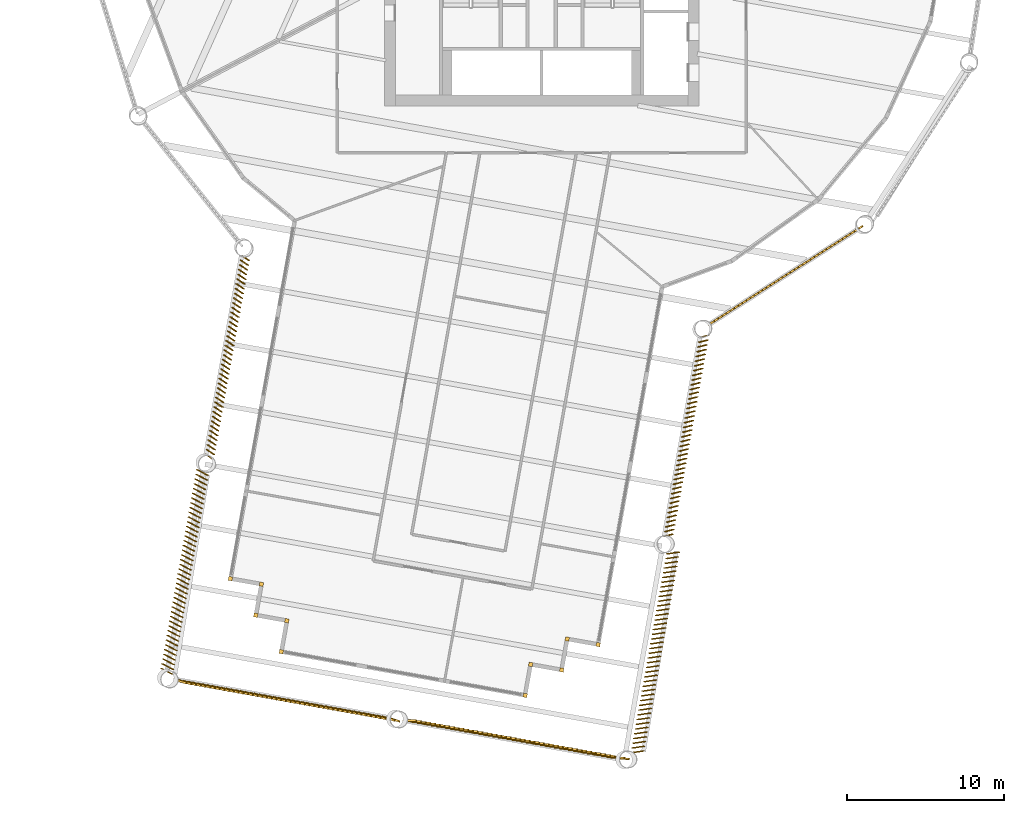
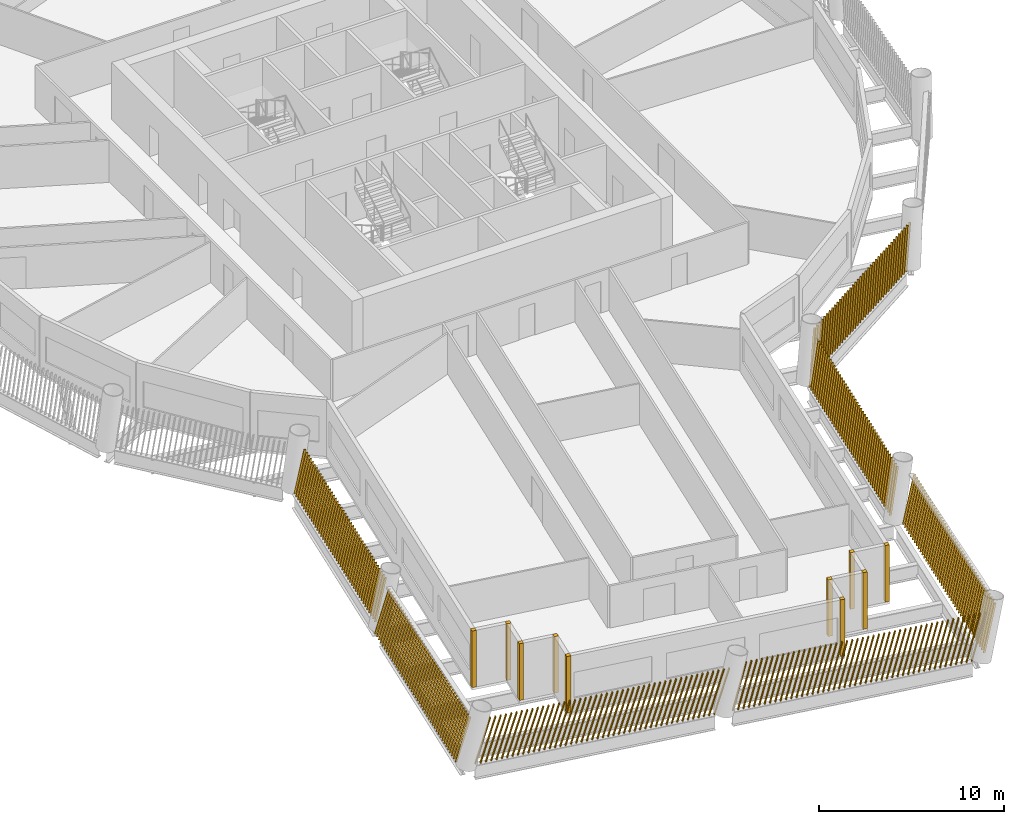
# One storey, part 10 of 14: 17 shading devices.
"""IFC4 building model written with IfcOpenShell, lengths in metres."""

from ifc_helpers import new_model, si_unit, direction, frame, frame_2d, origin, origin_2d, place, context, subcontext, project, spatial, rectangle, composite_profile, extrude, material, type_object, element, save


model = new_model("IFC4")

# Units and contexts
model_context = context("Model", 3, precision=1e-05, world=origin(), true_north=direction((0.0, 1.0)))
body_context = subcontext(model_context, "Body", "Model", "MODEL_VIEW")
ifc_project = project(units=[si_unit("LENGTHUNIT", "METRE"), si_unit("AREAUNIT", "SQUARE_METRE"), si_unit("VOLUMEUNIT", "CUBIC_METRE"), si_unit("PLANEANGLEUNIT", "RADIAN"), si_unit("MASSUNIT", "GRAM", prefix="KILO")], contexts=[model_context])

# Site, building, storey
site_placement = place(None, origin())
site = spatial("IfcSite", under=ifc_project, at=site_placement, CompositionType="ELEMENT")
building_placement = place(site_placement, origin())
building = spatial("IfcBuilding", under=site, at=building_placement, Name="Tarsis Ring Headquarters", CompositionType="ELEMENT")
storey_placement = place(building_placement, frame((0.0, 0.0, 182.699951171875)))
storey = spatial("IfcBuildingStorey", under=building, at=storey_placement, Name="L42", CompositionType="ELEMENT", Elevation=182.699951171875)

# Shading devices
ifc_material = material(Name="Terracotta baguette", Category="masonry")
shading_device_type_1 = type_object("IfcShadingDeviceType", Name="Terracotta baguette screen", PredefinedType="USERDEFINED", material=ifc_material)
shading_device_1_placement = place(storey_placement, frame((-19.065185546875, -22.485107421875, 0.0), z_axis=(0.0, 0.0, 1.0), x_axis=(-0.176411595519, -0.984313502876, 0.0)))
element("IfcShadingDevice", 1, at=shading_device_1_placement, inside=storey, type_object=shading_device_type_1, Name="Baguette screen L42-01", ObjectType="Terracotta baguette screen", PredefinedType="USERDEFINED", context=body_context, shape_type="SweptSolid", body=[
    extrude(composite_profile([rectangle(XDim=0.06005859375, YDim=0.1201171875, at=frame_2d((0.030029296875, 0.0))), rectangle(XDim=0.06005859375, YDim=0.1201171875, at=frame_2d((0.335693359375, 0.0))), rectangle(XDim=0.06005859375, YDim=0.1201171875, at=frame_2d((0.6416015625, 0.0))), rectangle(XDim=0.06005859375, YDim=0.1201171875, at=frame_2d((0.947265625, 0.0))), rectangle(XDim=0.06005859375, YDim=0.1201171875, at=frame_2d((1.253173828125, 0.0))), rectangle(XDim=0.06005859375, YDim=0.1201171875, at=frame_2d((1.558837890625, 0.0))), rectangle(XDim=0.06005859375, YDim=0.1201171875, at=frame_2d((1.864501953125, 0.0))), rectangle(XDim=0.06005859375, YDim=0.1201171875, at=frame_2d((2.17041015625, 0.0))), rectangle(XDim=0.06005859375, YDim=0.1201171875, at=frame_2d((2.47607421875, 0.0))), rectangle(XDim=0.06005859375, YDim=0.1201171875, at=frame_2d((2.781982421875, 0.0))), rectangle(XDim=0.06005859375, YDim=0.1201171875, at=frame_2d((3.087646484375, 0.0))), rectangle(XDim=0.06005859375, YDim=0.1201171875, at=frame_2d((3.393310546875, 0.0))), rectangle(XDim=0.06005859375, YDim=0.1201171875, at=frame_2d((3.69921875, 0.0))), rectangle(XDim=0.06005859375, YDim=0.1201171875, at=frame_2d((4.0048828125, 0.0))), rectangle(XDim=0.06005859375, YDim=0.1201171875, at=frame_2d((4.310791015625, 0.0))), rectangle(XDim=0.06005859375, YDim=0.1201171875, at=frame_2d((4.616455078125, 0.0))), rectangle(XDim=0.06005859375, YDim=0.1201171875, at=frame_2d((4.922119140625, 0.0))), rectangle(XDim=0.06005859375, YDim=0.1201171875, at=frame_2d((5.22802734375, 0.0))), rectangle(XDim=0.06005859375, YDim=0.1201171875, at=frame_2d((5.53369140625, 0.0))), rectangle(XDim=0.06005859375, YDim=0.1201171875, at=frame_2d((5.839599609375, 0.0))), rectangle(XDim=0.06005859375, YDim=0.1201171875, at=frame_2d((6.145263671875, 0.0))), rectangle(XDim=0.06005859375, YDim=0.1201171875, at=frame_2d((6.451171875, 0.0))), rectangle(XDim=0.06005859375, YDim=0.1201171875, at=frame_2d((6.7568359375, 0.0))), rectangle(XDim=0.06005859375, YDim=0.1201171875, at=frame_2d((7.0625, 0.0))), rectangle(XDim=0.06005859375, YDim=0.1201171875, at=frame_2d((7.368408203125, 0.0))), rectangle(XDim=0.06005859375, YDim=0.1201171875, at=frame_2d((7.674072265625, 0.0))), rectangle(XDim=0.06005859375, YDim=0.1201171875, at=frame_2d((7.97998046875, 0.0))), rectangle(XDim=0.06005859375, YDim=0.1201171875, at=frame_2d((8.28564453125, 0.0))), rectangle(XDim=0.06005859375, YDim=0.1201171875, at=frame_2d((8.59130859375, 0.0))), rectangle(XDim=0.06005859375, YDim=0.1201171875, at=frame_2d((8.897216796875, 0.0))), rectangle(XDim=0.06005859375, YDim=0.1201171875, at=frame_2d((9.202880859375, 0.0))), rectangle(XDim=0.06005859375, YDim=0.1201171875, at=frame_2d((9.5087890625, 0.0))), rectangle(XDim=0.06005859375, YDim=0.1201171875, at=frame_2d((9.814453125, 0.0))), rectangle(XDim=0.06005859375, YDim=0.1201171875, at=frame_2d((10.1201171875, 0.0))), rectangle(XDim=0.06005859375, YDim=0.1201171875, at=frame_2d((10.426025390625, 0.0))), rectangle(XDim=0.06005859375, YDim=0.1201171875, at=frame_2d((10.731689453125, 0.0))), rectangle(XDim=0.06005859375, YDim=0.1201171875, at=frame_2d((11.03759765625, 0.0))), rectangle(XDim=0.06005859375, YDim=0.1201171875, at=frame_2d((11.34326171875, 0.0))), rectangle(XDim=0.06005859375, YDim=0.1201171875, at=frame_2d((11.64892578125, 0.0))), rectangle(XDim=0.06005859375, YDim=0.1201171875, at=frame_2d((11.954833984375, 0.0))), rectangle(XDim=0.06005859375, YDim=0.1201171875, at=frame_2d((12.260498046875, 0.0))), rectangle(XDim=0.06005859375, YDim=0.1201171875, at=frame_2d((12.56640625, 0.0))), rectangle(XDim=0.06005859375, YDim=0.1201171875, at=frame_2d((12.8720703125, 0.0)))]), origin(), (0.076138787399, 0.167799380911, 0.98287651962), 3.00146484375),
])
shading_device_2_placement = place(storey_placement, frame((-21.88671875, -36.10302734375, 0.0), z_axis=(0.0, 0.0, 1.0), x_axis=(-0.176392673327, -0.984313502876, 0.0)))
element("IfcShadingDevice", 2, at=shading_device_2_placement, inside=storey, type_object=shading_device_type_1, Name="Baguette screen L42-02", ObjectType="Terracotta baguette screen", PredefinedType="USERDEFINED", context=body_context, shape_type="SweptSolid", body=[
    extrude(composite_profile([rectangle(XDim=0.06005859375, YDim=0.1201171875, at=frame_2d((0.030029296875, 0.0))), rectangle(XDim=0.06005859375, YDim=0.1201171875, at=frame_2d((0.335693359375, 0.0))), rectangle(XDim=0.06005859375, YDim=0.1201171875, at=frame_2d((0.6416015625, 0.0))), rectangle(XDim=0.06005859375, YDim=0.1201171875, at=frame_2d((0.947265625, 0.0))), rectangle(XDim=0.06005859375, YDim=0.1201171875, at=frame_2d((1.253173828125, 0.0))), rectangle(XDim=0.06005859375, YDim=0.1201171875, at=frame_2d((1.558837890625, 0.0))), rectangle(XDim=0.06005859375, YDim=0.1201171875, at=frame_2d((1.864501953125, 0.0))), rectangle(XDim=0.06005859375, YDim=0.1201171875, at=frame_2d((2.17041015625, 0.0))), rectangle(XDim=0.06005859375, YDim=0.1201171875, at=frame_2d((2.47607421875, 0.0))), rectangle(XDim=0.06005859375, YDim=0.1201171875, at=frame_2d((2.781982421875, 0.0))), rectangle(XDim=0.06005859375, YDim=0.1201171875, at=frame_2d((3.087646484375, 0.0))), rectangle(XDim=0.06005859375, YDim=0.1201171875, at=frame_2d((3.393310546875, 0.0))), rectangle(XDim=0.06005859375, YDim=0.1201171875, at=frame_2d((3.69921875, 0.0))), rectangle(XDim=0.06005859375, YDim=0.1201171875, at=frame_2d((4.0048828125, 0.0))), rectangle(XDim=0.06005859375, YDim=0.1201171875, at=frame_2d((4.310791015625, 0.0))), rectangle(XDim=0.06005859375, YDim=0.1201171875, at=frame_2d((4.616455078125, 0.0))), rectangle(XDim=0.06005859375, YDim=0.1201171875, at=frame_2d((4.922119140625, 0.0))), rectangle(XDim=0.06005859375, YDim=0.1201171875, at=frame_2d((5.22802734375, 0.0))), rectangle(XDim=0.06005859375, YDim=0.1201171875, at=frame_2d((5.53369140625, 0.0))), rectangle(XDim=0.06005859375, YDim=0.1201171875, at=frame_2d((5.839599609375, 0.0))), rectangle(XDim=0.06005859375, YDim=0.1201171875, at=frame_2d((6.145263671875, 0.0))), rectangle(XDim=0.06005859375, YDim=0.1201171875, at=frame_2d((6.451171875, 0.0))), rectangle(XDim=0.06005859375, YDim=0.1201171875, at=frame_2d((6.7568359375, 0.0))), rectangle(XDim=0.06005859375, YDim=0.1201171875, at=frame_2d((7.0625, 0.0))), rectangle(XDim=0.06005859375, YDim=0.1201171875, at=frame_2d((7.368408203125, 0.0))), rectangle(XDim=0.06005859375, YDim=0.1201171875, at=frame_2d((7.674072265625, 0.0))), rectangle(XDim=0.06005859375, YDim=0.1201171875, at=frame_2d((7.97998046875, 0.0))), rectangle(XDim=0.06005859375, YDim=0.1201171875, at=frame_2d((8.28564453125, 0.0))), rectangle(XDim=0.06005859375, YDim=0.1201171875, at=frame_2d((8.59130859375, 0.0))), rectangle(XDim=0.06005859375, YDim=0.1201171875, at=frame_2d((8.897216796875, 0.0))), rectangle(XDim=0.06005859375, YDim=0.1201171875, at=frame_2d((9.202880859375, 0.0))), rectangle(XDim=0.06005859375, YDim=0.1201171875, at=frame_2d((9.5087890625, 0.0))), rectangle(XDim=0.06005859375, YDim=0.1201171875, at=frame_2d((9.814453125, 0.0))), rectangle(XDim=0.06005859375, YDim=0.1201171875, at=frame_2d((10.1201171875, 0.0))), rectangle(XDim=0.06005859375, YDim=0.1201171875, at=frame_2d((10.426025390625, 0.0))), rectangle(XDim=0.06005859375, YDim=0.1201171875, at=frame_2d((10.731689453125, 0.0))), rectangle(XDim=0.06005859375, YDim=0.1201171875, at=frame_2d((11.03759765625, 0.0))), rectangle(XDim=0.06005859375, YDim=0.1201171875, at=frame_2d((11.34326171875, 0.0))), rectangle(XDim=0.06005859375, YDim=0.1201171875, at=frame_2d((11.64892578125, 0.0))), rectangle(XDim=0.06005859375, YDim=0.1201171875, at=frame_2d((11.954833984375, 0.0))), rectangle(XDim=0.06005859375, YDim=0.1201171875, at=frame_2d((12.260498046875, 0.0))), rectangle(XDim=0.06005859375, YDim=0.1201171875, at=frame_2d((12.56640625, 0.0))), rectangle(XDim=0.06005859375, YDim=0.1201171875, at=frame_2d((12.8720703125, 0.0)))]), origin(), (0.076398349345, 0.237047459831, 0.968489439284), 3.0458984375),
])
shading_device_3_placement = place(storey_placement, frame((-23.3896484375, -49.449462890625, 0.0), z_axis=(0.0, 0.0, 1.0), x_axis=(0.984325519682, -0.176399823087, 0.0)))
element("IfcShadingDevice", 3, at=shading_device_3_placement, inside=storey, type_object=shading_device_type_1, Name="Baguette screen L42-03", ObjectType="Terracotta baguette screen", PredefinedType="USERDEFINED", context=body_context, shape_type="SweptSolid", body=[
    extrude(composite_profile([rectangle(XDim=0.06005859375, YDim=0.1201171875, at=frame_2d((0.030029296875, 0.0))), rectangle(XDim=0.06005859375, YDim=0.1201171875, at=frame_2d((0.33544921875, 0.0))), rectangle(XDim=0.06005859375, YDim=0.1201171875, at=frame_2d((0.640625, 0.0))), rectangle(XDim=0.06005859375, YDim=0.1201171875, at=frame_2d((0.946044921875, 0.0))), rectangle(XDim=0.06005859375, YDim=0.1201171875, at=frame_2d((1.25146484375, 0.0))), rectangle(XDim=0.06005859375, YDim=0.1201171875, at=frame_2d((1.556640625, 0.0))), rectangle(XDim=0.06005859375, YDim=0.1201171875, at=frame_2d((1.862060546875, 0.0))), rectangle(XDim=0.06005859375, YDim=0.1201171875, at=frame_2d((2.16748046875, 0.0))), rectangle(XDim=0.06005859375, YDim=0.1201171875, at=frame_2d((2.47265625, 0.0))), rectangle(XDim=0.06005859375, YDim=0.1201171875, at=frame_2d((2.778076171875, 0.0))), rectangle(XDim=0.06005859375, YDim=0.1201171875, at=frame_2d((3.08349609375, 0.0))), rectangle(XDim=0.06005859375, YDim=0.1201171875, at=frame_2d((3.388671875, 0.0))), rectangle(XDim=0.06005859375, YDim=0.1201171875, at=frame_2d((3.694091796875, 0.0))), rectangle(XDim=0.06005859375, YDim=0.1201171875, at=frame_2d((3.99951171875, 0.0))), rectangle(XDim=0.06005859375, YDim=0.1201171875, at=frame_2d((4.3046875, 0.0))), rectangle(XDim=0.06005859375, YDim=0.1201171875, at=frame_2d((4.610107421875, 0.0))), rectangle(XDim=0.06005859375, YDim=0.1201171875, at=frame_2d((4.91552734375, 0.0))), rectangle(XDim=0.06005859375, YDim=0.1201171875, at=frame_2d((5.220703125, 0.0))), rectangle(XDim=0.06005859375, YDim=0.1201171875, at=frame_2d((5.526123046875, 0.0))), rectangle(XDim=0.06005859375, YDim=0.1201171875, at=frame_2d((5.83154296875, 0.0))), rectangle(XDim=0.06005859375, YDim=0.1201171875, at=frame_2d((6.13671875, 0.0))), rectangle(XDim=0.06005859375, YDim=0.1201171875, at=frame_2d((6.442138671875, 0.0))), rectangle(XDim=0.06005859375, YDim=0.1201171875, at=frame_2d((6.74755859375, 0.0))), rectangle(XDim=0.06005859375, YDim=0.1201171875, at=frame_2d((7.052734375, 0.0))), rectangle(XDim=0.06005859375, YDim=0.1201171875, at=frame_2d((7.358154296875, 0.0))), rectangle(XDim=0.06005859375, YDim=0.1201171875, at=frame_2d((7.66357421875, 0.0))), rectangle(XDim=0.06005859375, YDim=0.1201171875, at=frame_2d((7.96875, 0.0))), rectangle(XDim=0.06005859375, YDim=0.1201171875, at=frame_2d((8.274169921875, 0.0))), rectangle(XDim=0.06005859375, YDim=0.1201171875, at=frame_2d((8.57958984375, 0.0))), rectangle(XDim=0.06005859375, YDim=0.1201171875, at=frame_2d((8.884765625, 0.0))), rectangle(XDim=0.06005859375, YDim=0.1201171875, at=frame_2d((9.190185546875, 0.0))), rectangle(XDim=0.06005859375, YDim=0.1201171875, at=frame_2d((9.49560546875, 0.0))), rectangle(XDim=0.06005859375, YDim=0.1201171875, at=frame_2d((9.80078125, 0.0))), rectangle(XDim=0.06005859375, YDim=0.1201171875, at=frame_2d((10.106201171875, 0.0))), rectangle(XDim=0.06005859375, YDim=0.1201171875, at=frame_2d((10.41162109375, 0.0))), rectangle(XDim=0.06005859375, YDim=0.1201171875, at=frame_2d((10.716796875, 0.0))), rectangle(XDim=0.06005859375, YDim=0.1201171875, at=frame_2d((11.022216796875, 0.0))), rectangle(XDim=0.06005859375, YDim=0.1201171875, at=frame_2d((11.32763671875, 0.0))), rectangle(XDim=0.06005859375, YDim=0.1201171875, at=frame_2d((11.6328125, 0.0))), rectangle(XDim=0.06005859375, YDim=0.1201171875, at=frame_2d((11.938232421875, 0.0))), rectangle(XDim=0.06005859375, YDim=0.1201171875, at=frame_2d((12.24365234375, 0.0))), rectangle(XDim=0.06005859375, YDim=0.1201171875, at=frame_2d((12.548828125, 0.0))), rectangle(XDim=0.06005859375, YDim=0.1201171875, at=frame_2d((12.854248046875, 0.0))), rectangle(XDim=0.06005859375, YDim=0.1201171875, at=frame_2d((13.15966796875, 0.0))), rectangle(XDim=0.06005859375, YDim=0.1201171875, at=frame_2d((13.46484375, 0.0))), rectangle(XDim=0.06005859375, YDim=0.1201171875, at=frame_2d((13.770263671875, 0.0)))]), origin(), (0.270750696196, -0.035779815014, 0.961984337371), 3.06640625),
])
shading_device_4_placement = place(storey_placement, frame((-8.821533203125, -52.060302734375, 0.0), z_axis=(0.0, 0.0, 1.0), x_axis=(0.984325242375, -0.176402943882, 0.0)))
element("IfcShadingDevice", 4, at=shading_device_4_placement, inside=storey, type_object=shading_device_type_1, Name="Baguette screen L42-04", ObjectType="Terracotta baguette screen", PredefinedType="USERDEFINED", context=body_context, shape_type="SweptSolid", body=[
    extrude(composite_profile([rectangle(XDim=0.06005859375, YDim=0.1201171875, at=frame_2d((0.030029296875, 0.0))), rectangle(XDim=0.06005859375, YDim=0.1201171875, at=frame_2d((0.33544921875, 0.0))), rectangle(XDim=0.06005859375, YDim=0.1201171875, at=frame_2d((0.640625, 0.0))), rectangle(XDim=0.06005859375, YDim=0.1201171875, at=frame_2d((0.946044921875, 0.0))), rectangle(XDim=0.06005859375, YDim=0.1201171875, at=frame_2d((1.25146484375, 0.0))), rectangle(XDim=0.06005859375, YDim=0.1201171875, at=frame_2d((1.556640625, 0.0))), rectangle(XDim=0.06005859375, YDim=0.1201171875, at=frame_2d((1.862060546875, 0.0))), rectangle(XDim=0.06005859375, YDim=0.1201171875, at=frame_2d((2.16748046875, 0.0))), rectangle(XDim=0.06005859375, YDim=0.1201171875, at=frame_2d((2.47265625, 0.0))), rectangle(XDim=0.06005859375, YDim=0.1201171875, at=frame_2d((2.778076171875, 0.0))), rectangle(XDim=0.06005859375, YDim=0.1201171875, at=frame_2d((3.08349609375, 0.0))), rectangle(XDim=0.06005859375, YDim=0.1201171875, at=frame_2d((3.388671875, 0.0))), rectangle(XDim=0.06005859375, YDim=0.1201171875, at=frame_2d((3.694091796875, 0.0))), rectangle(XDim=0.06005859375, YDim=0.1201171875, at=frame_2d((3.99951171875, 0.0))), rectangle(XDim=0.06005859375, YDim=0.1201171875, at=frame_2d((4.3046875, 0.0))), rectangle(XDim=0.06005859375, YDim=0.1201171875, at=frame_2d((4.610107421875, 0.0))), rectangle(XDim=0.06005859375, YDim=0.1201171875, at=frame_2d((4.91552734375, 0.0))), rectangle(XDim=0.06005859375, YDim=0.1201171875, at=frame_2d((5.220703125, 0.0))), rectangle(XDim=0.06005859375, YDim=0.1201171875, at=frame_2d((5.526123046875, 0.0))), rectangle(XDim=0.06005859375, YDim=0.1201171875, at=frame_2d((5.83154296875, 0.0))), rectangle(XDim=0.06005859375, YDim=0.1201171875, at=frame_2d((6.13671875, 0.0))), rectangle(XDim=0.06005859375, YDim=0.1201171875, at=frame_2d((6.442138671875, 0.0))), rectangle(XDim=0.06005859375, YDim=0.1201171875, at=frame_2d((6.74755859375, 0.0))), rectangle(XDim=0.06005859375, YDim=0.1201171875, at=frame_2d((7.052734375, 0.0))), rectangle(XDim=0.06005859375, YDim=0.1201171875, at=frame_2d((7.358154296875, 0.0))), rectangle(XDim=0.06005859375, YDim=0.1201171875, at=frame_2d((7.66357421875, 0.0))), rectangle(XDim=0.06005859375, YDim=0.1201171875, at=frame_2d((7.96875, 0.0))), rectangle(XDim=0.06005859375, YDim=0.1201171875, at=frame_2d((8.274169921875, 0.0))), rectangle(XDim=0.06005859375, YDim=0.1201171875, at=frame_2d((8.57958984375, 0.0))), rectangle(XDim=0.06005859375, YDim=0.1201171875, at=frame_2d((8.884765625, 0.0))), rectangle(XDim=0.06005859375, YDim=0.1201171875, at=frame_2d((9.190185546875, 0.0))), rectangle(XDim=0.06005859375, YDim=0.1201171875, at=frame_2d((9.49560546875, 0.0))), rectangle(XDim=0.06005859375, YDim=0.1201171875, at=frame_2d((9.80078125, 0.0))), rectangle(XDim=0.06005859375, YDim=0.1201171875, at=frame_2d((10.106201171875, 0.0))), rectangle(XDim=0.06005859375, YDim=0.1201171875, at=frame_2d((10.41162109375, 0.0))), rectangle(XDim=0.06005859375, YDim=0.1201171875, at=frame_2d((10.716796875, 0.0))), rectangle(XDim=0.06005859375, YDim=0.1201171875, at=frame_2d((11.022216796875, 0.0))), rectangle(XDim=0.06005859375, YDim=0.1201171875, at=frame_2d((11.32763671875, 0.0))), rectangle(XDim=0.06005859375, YDim=0.1201171875, at=frame_2d((11.6328125, 0.0))), rectangle(XDim=0.06005859375, YDim=0.1201171875, at=frame_2d((11.938232421875, 0.0))), rectangle(XDim=0.06005859375, YDim=0.1201171875, at=frame_2d((12.24365234375, 0.0))), rectangle(XDim=0.06005859375, YDim=0.1201171875, at=frame_2d((12.548828125, 0.0))), rectangle(XDim=0.06005859375, YDim=0.1201171875, at=frame_2d((12.854248046875, 0.0))), rectangle(XDim=0.06005859375, YDim=0.1201171875, at=frame_2d((13.15966796875, 0.0))), rectangle(XDim=0.06005859375, YDim=0.1201171875, at=frame_2d((13.46484375, 0.0))), rectangle(XDim=0.06005859375, YDim=0.1201171875, at=frame_2d((13.770263671875, 0.0)))]), origin(), (0.270155253898, 0.040029888238, 0.961984275775), 3.06640625),
])
shading_device_5_placement = place(storey_placement, frame((5.71142578125, -54.15673828125, 0.0), z_axis=(0.0, 0.0, 1.0), x_axis=(0.176392673327, 0.984313502876, 0.0)))
element("IfcShadingDevice", 5, at=shading_device_5_placement, inside=storey, type_object=shading_device_type_1, Name="Baguette screen L42-05", ObjectType="Terracotta baguette screen", PredefinedType="USERDEFINED", context=body_context, shape_type="SweptSolid", body=[
    extrude(composite_profile([rectangle(XDim=0.06005859375, YDim=0.1201171875, at=frame_2d((0.030029296875, 0.0))), rectangle(XDim=0.06005859375, YDim=0.1201171875, at=frame_2d((0.335693359375, 0.0))), rectangle(XDim=0.06005859375, YDim=0.1201171875, at=frame_2d((0.6416015625, 0.0))), rectangle(XDim=0.06005859375, YDim=0.1201171875, at=frame_2d((0.947265625, 0.0))), rectangle(XDim=0.06005859375, YDim=0.1201171875, at=frame_2d((1.253173828125, 0.0))), rectangle(XDim=0.06005859375, YDim=0.1201171875, at=frame_2d((1.558837890625, 0.0))), rectangle(XDim=0.06005859375, YDim=0.1201171875, at=frame_2d((1.864501953125, 0.0))), rectangle(XDim=0.06005859375, YDim=0.1201171875, at=frame_2d((2.17041015625, 0.0))), rectangle(XDim=0.06005859375, YDim=0.1201171875, at=frame_2d((2.47607421875, 0.0))), rectangle(XDim=0.06005859375, YDim=0.1201171875, at=frame_2d((2.781982421875, 0.0))), rectangle(XDim=0.06005859375, YDim=0.1201171875, at=frame_2d((3.087646484375, 0.0))), rectangle(XDim=0.06005859375, YDim=0.1201171875, at=frame_2d((3.393310546875, 0.0))), rectangle(XDim=0.06005859375, YDim=0.1201171875, at=frame_2d((3.69921875, 0.0))), rectangle(XDim=0.06005859375, YDim=0.1201171875, at=frame_2d((4.0048828125, 0.0))), rectangle(XDim=0.06005859375, YDim=0.1201171875, at=frame_2d((4.310791015625, 0.0))), rectangle(XDim=0.06005859375, YDim=0.1201171875, at=frame_2d((4.616455078125, 0.0))), rectangle(XDim=0.06005859375, YDim=0.1201171875, at=frame_2d((4.922119140625, 0.0))), rectangle(XDim=0.06005859375, YDim=0.1201171875, at=frame_2d((5.22802734375, 0.0))), rectangle(XDim=0.06005859375, YDim=0.1201171875, at=frame_2d((5.53369140625, 0.0))), rectangle(XDim=0.06005859375, YDim=0.1201171875, at=frame_2d((5.839599609375, 0.0))), rectangle(XDim=0.06005859375, YDim=0.1201171875, at=frame_2d((6.145263671875, 0.0))), rectangle(XDim=0.06005859375, YDim=0.1201171875, at=frame_2d((6.451171875, 0.0))), rectangle(XDim=0.06005859375, YDim=0.1201171875, at=frame_2d((6.7568359375, 0.0))), rectangle(XDim=0.06005859375, YDim=0.1201171875, at=frame_2d((7.0625, 0.0))), rectangle(XDim=0.06005859375, YDim=0.1201171875, at=frame_2d((7.368408203125, 0.0))), rectangle(XDim=0.06005859375, YDim=0.1201171875, at=frame_2d((7.674072265625, 0.0))), rectangle(XDim=0.06005859375, YDim=0.1201171875, at=frame_2d((7.97998046875, 0.0))), rectangle(XDim=0.06005859375, YDim=0.1201171875, at=frame_2d((8.28564453125, 0.0))), rectangle(XDim=0.06005859375, YDim=0.1201171875, at=frame_2d((8.59130859375, 0.0))), rectangle(XDim=0.06005859375, YDim=0.1201171875, at=frame_2d((8.897216796875, 0.0))), rectangle(XDim=0.06005859375, YDim=0.1201171875, at=frame_2d((9.202880859375, 0.0))), rectangle(XDim=0.06005859375, YDim=0.1201171875, at=frame_2d((9.5087890625, 0.0))), rectangle(XDim=0.06005859375, YDim=0.1201171875, at=frame_2d((9.814453125, 0.0))), rectangle(XDim=0.06005859375, YDim=0.1201171875, at=frame_2d((10.1201171875, 0.0))), rectangle(XDim=0.06005859375, YDim=0.1201171875, at=frame_2d((10.426025390625, 0.0))), rectangle(XDim=0.06005859375, YDim=0.1201171875, at=frame_2d((10.731689453125, 0.0))), rectangle(XDim=0.06005859375, YDim=0.1201171875, at=frame_2d((11.03759765625, 0.0))), rectangle(XDim=0.06005859375, YDim=0.1201171875, at=frame_2d((11.34326171875, 0.0))), rectangle(XDim=0.06005859375, YDim=0.1201171875, at=frame_2d((11.64892578125, 0.0))), rectangle(XDim=0.06005859375, YDim=0.1201171875, at=frame_2d((11.954833984375, 0.0))), rectangle(XDim=0.06005859375, YDim=0.1201171875, at=frame_2d((12.260498046875, 0.0))), rectangle(XDim=0.06005859375, YDim=0.1201171875, at=frame_2d((12.56640625, 0.0))), rectangle(XDim=0.06005859375, YDim=0.1201171875, at=frame_2d((12.8720703125, 0.0)))]), origin(), (0.080110461874, -0.235818701534, 0.968489470209), 3.0458984375),
])
shading_device_6_placement = place(storey_placement, frame((7.794677734375, -40.40625, 0.0), z_axis=(0.0, 0.0, 1.0), x_axis=(0.176392673327, 0.984313502876, 0.0)))
element("IfcShadingDevice", 6, at=shading_device_6_placement, inside=storey, type_object=shading_device_type_1, Name="Baguette screen L42-06", ObjectType="Terracotta baguette screen", PredefinedType="USERDEFINED", context=body_context, shape_type="SweptSolid", body=[
    extrude(composite_profile([rectangle(XDim=0.06005859375, YDim=0.1201171875, at=frame_2d((0.030029296875, 0.0))), rectangle(XDim=0.06005859375, YDim=0.1201171875, at=frame_2d((0.335693359375, 0.0))), rectangle(XDim=0.06005859375, YDim=0.1201171875, at=frame_2d((0.6416015625, 0.0))), rectangle(XDim=0.06005859375, YDim=0.1201171875, at=frame_2d((0.947265625, 0.0))), rectangle(XDim=0.06005859375, YDim=0.1201171875, at=frame_2d((1.253173828125, 0.0))), rectangle(XDim=0.06005859375, YDim=0.1201171875, at=frame_2d((1.558837890625, 0.0))), rectangle(XDim=0.06005859375, YDim=0.1201171875, at=frame_2d((1.864501953125, 0.0))), rectangle(XDim=0.06005859375, YDim=0.1201171875, at=frame_2d((2.17041015625, 0.0))), rectangle(XDim=0.06005859375, YDim=0.1201171875, at=frame_2d((2.47607421875, 0.0))), rectangle(XDim=0.06005859375, YDim=0.1201171875, at=frame_2d((2.781982421875, 0.0))), rectangle(XDim=0.06005859375, YDim=0.1201171875, at=frame_2d((3.087646484375, 0.0))), rectangle(XDim=0.06005859375, YDim=0.1201171875, at=frame_2d((3.393310546875, 0.0))), rectangle(XDim=0.06005859375, YDim=0.1201171875, at=frame_2d((3.69921875, 0.0))), rectangle(XDim=0.06005859375, YDim=0.1201171875, at=frame_2d((4.0048828125, 0.0))), rectangle(XDim=0.06005859375, YDim=0.1201171875, at=frame_2d((4.310791015625, 0.0))), rectangle(XDim=0.06005859375, YDim=0.1201171875, at=frame_2d((4.616455078125, 0.0))), rectangle(XDim=0.06005859375, YDim=0.1201171875, at=frame_2d((4.922119140625, 0.0))), rectangle(XDim=0.06005859375, YDim=0.1201171875, at=frame_2d((5.22802734375, 0.0))), rectangle(XDim=0.06005859375, YDim=0.1201171875, at=frame_2d((5.53369140625, 0.0))), rectangle(XDim=0.06005859375, YDim=0.1201171875, at=frame_2d((5.839599609375, 0.0))), rectangle(XDim=0.06005859375, YDim=0.1201171875, at=frame_2d((6.145263671875, 0.0))), rectangle(XDim=0.06005859375, YDim=0.1201171875, at=frame_2d((6.451171875, 0.0))), rectangle(XDim=0.06005859375, YDim=0.1201171875, at=frame_2d((6.7568359375, 0.0))), rectangle(XDim=0.06005859375, YDim=0.1201171875, at=frame_2d((7.0625, 0.0))), rectangle(XDim=0.06005859375, YDim=0.1201171875, at=frame_2d((7.368408203125, 0.0))), rectangle(XDim=0.06005859375, YDim=0.1201171875, at=frame_2d((7.674072265625, 0.0))), rectangle(XDim=0.06005859375, YDim=0.1201171875, at=frame_2d((7.97998046875, 0.0))), rectangle(XDim=0.06005859375, YDim=0.1201171875, at=frame_2d((8.28564453125, 0.0))), rectangle(XDim=0.06005859375, YDim=0.1201171875, at=frame_2d((8.59130859375, 0.0))), rectangle(XDim=0.06005859375, YDim=0.1201171875, at=frame_2d((8.897216796875, 0.0))), rectangle(XDim=0.06005859375, YDim=0.1201171875, at=frame_2d((9.202880859375, 0.0))), rectangle(XDim=0.06005859375, YDim=0.1201171875, at=frame_2d((9.5087890625, 0.0))), rectangle(XDim=0.06005859375, YDim=0.1201171875, at=frame_2d((9.814453125, 0.0))), rectangle(XDim=0.06005859375, YDim=0.1201171875, at=frame_2d((10.1201171875, 0.0))), rectangle(XDim=0.06005859375, YDim=0.1201171875, at=frame_2d((10.426025390625, 0.0))), rectangle(XDim=0.06005859375, YDim=0.1201171875, at=frame_2d((10.731689453125, 0.0))), rectangle(XDim=0.06005859375, YDim=0.1201171875, at=frame_2d((11.03759765625, 0.0))), rectangle(XDim=0.06005859375, YDim=0.1201171875, at=frame_2d((11.34326171875, 0.0))), rectangle(XDim=0.06005859375, YDim=0.1201171875, at=frame_2d((11.64892578125, 0.0))), rectangle(XDim=0.06005859375, YDim=0.1201171875, at=frame_2d((11.954833984375, 0.0))), rectangle(XDim=0.06005859375, YDim=0.1201171875, at=frame_2d((12.260498046875, 0.0))), rectangle(XDim=0.06005859375, YDim=0.1201171875, at=frame_2d((12.56640625, 0.0))), rectangle(XDim=0.06005859375, YDim=0.1201171875, at=frame_2d((12.8720703125, 0.0)))]), origin(), (0.078766776126, -0.166581261308, 0.982876634354), 3.00146484375),
])
shading_device_7_placement = place(storey_placement, frame((10.579833984375, -26.944580078125, 0.0), z_axis=(0.0, 0.0, 1.0), x_axis=(0.84206185567, 0.539381443299, 0.0)))
element("IfcShadingDevice", 7, at=shading_device_7_placement, inside=storey, type_object=shading_device_type_1, Name="Baguette screen L42-07", ObjectType="Terracotta baguette screen", PredefinedType="USERDEFINED", context=body_context, shape_type="SweptSolid", body=[
    extrude(composite_profile([rectangle(XDim=0.06005859375, YDim=0.1201171875, at=frame_2d((0.030029296875, 0.0))), rectangle(XDim=0.06005859375, YDim=0.1201171875, at=frame_2d((0.33251953125, 0.0))), rectangle(XDim=0.06005859375, YDim=0.1201171875, at=frame_2d((0.634765625, 0.0))), rectangle(XDim=0.06005859375, YDim=0.1201171875, at=frame_2d((0.937255859375, 0.0))), rectangle(XDim=0.06005859375, YDim=0.1201171875, at=frame_2d((1.239501953125, 0.0))), rectangle(XDim=0.06005859375, YDim=0.1201171875, at=frame_2d((1.5419921875, 0.0))), rectangle(XDim=0.06005859375, YDim=0.1201171875, at=frame_2d((1.844482421875, 0.0))), rectangle(XDim=0.06005859375, YDim=0.1201171875, at=frame_2d((2.146728515625, 0.0))), rectangle(XDim=0.06005859375, YDim=0.1201171875, at=frame_2d((2.44921875, 0.0))), rectangle(XDim=0.06005859375, YDim=0.1201171875, at=frame_2d((2.751708984375, 0.0))), rectangle(XDim=0.06005859375, YDim=0.1201171875, at=frame_2d((3.053955078125, 0.0))), rectangle(XDim=0.06005859375, YDim=0.1201171875, at=frame_2d((3.3564453125, 0.0))), rectangle(XDim=0.06005859375, YDim=0.1201171875, at=frame_2d((3.65869140625, 0.0))), rectangle(XDim=0.06005859375, YDim=0.1201171875, at=frame_2d((3.961181640625, 0.0))), rectangle(XDim=0.06005859375, YDim=0.1201171875, at=frame_2d((4.263671875, 0.0))), rectangle(XDim=0.06005859375, YDim=0.1201171875, at=frame_2d((4.56591796875, 0.0))), rectangle(XDim=0.06005859375, YDim=0.1201171875, at=frame_2d((4.868408203125, 0.0))), rectangle(XDim=0.06005859375, YDim=0.1201171875, at=frame_2d((5.1708984375, 0.0))), rectangle(XDim=0.06005859375, YDim=0.1201171875, at=frame_2d((5.47314453125, 0.0))), rectangle(XDim=0.06005859375, YDim=0.1201171875, at=frame_2d((5.775634765625, 0.0))), rectangle(XDim=0.06005859375, YDim=0.1201171875, at=frame_2d((6.077880859375, 0.0))), rectangle(XDim=0.06005859375, YDim=0.1201171875, at=frame_2d((6.38037109375, 0.0))), rectangle(XDim=0.06005859375, YDim=0.1201171875, at=frame_2d((6.682861328125, 0.0))), rectangle(XDim=0.06005859375, YDim=0.1201171875, at=frame_2d((6.985107421875, 0.0))), rectangle(XDim=0.06005859375, YDim=0.1201171875, at=frame_2d((7.28759765625, 0.0))), rectangle(XDim=0.06005859375, YDim=0.1201171875, at=frame_2d((7.590087890625, 0.0))), rectangle(XDim=0.06005859375, YDim=0.1201171875, at=frame_2d((7.892333984375, 0.0))), rectangle(XDim=0.06005859375, YDim=0.1201171875, at=frame_2d((8.19482421875, 0.0))), rectangle(XDim=0.06005859375, YDim=0.1201171875, at=frame_2d((8.4970703125, 0.0))), rectangle(XDim=0.06005859375, YDim=0.1201171875, at=frame_2d((8.799560546875, 0.0))), rectangle(XDim=0.06005859375, YDim=0.1201171875, at=frame_2d((9.10205078125, 0.0))), rectangle(XDim=0.06005859375, YDim=0.1201171875, at=frame_2d((9.404296875, 0.0))), rectangle(XDim=0.06005859375, YDim=0.1201171875, at=frame_2d((9.706787109375, 0.0))), rectangle(XDim=0.06005859375, YDim=0.1201171875, at=frame_2d((10.00927734375, 0.0))), rectangle(XDim=0.06005859375, YDim=0.1201171875, at=frame_2d((10.3115234375, 0.0))), rectangle(XDim=0.06005859375, YDim=0.1201171875, at=frame_2d((10.614013671875, 0.0))), rectangle(XDim=0.06005859375, YDim=0.1201171875, at=frame_2d((10.916259765625, 0.0))), rectangle(XDim=0.06005859375, YDim=0.1201171875, at=frame_2d((11.21875, 0.0)))]), origin(), (0.1494961304, 0.00117337908, 0.988761614433), 2.9833984375),
])
shading_device_type_2 = type_object("IfcShadingDeviceType", Name="Terracotta corner baguette 250x250", PredefinedType="USERDEFINED", material=ifc_material)
for number, where, z_axis, x_axis, name in (
    (8, (-19.781005859375, -43.060791015625, 0.0), (0.0, 0.0, 1.0), (-0.176397616247, -0.984318993509, 0.0), "Corner baguette L42-07"),
    (9, (-17.8125, -43.413818359375, 0.0), (0.0, 0.0, 1.0), (0.984319030454, -0.176397410092, 0.0), "Corner baguette L42-08"),
    (10, (-18.165283203125, -45.38232421875, 0.0), (0.0, 0.0, 1.0), (-0.176398080096, -0.984318910383, 0.0), "Corner baguette L42-09"),
    (11, (-16.196533203125, -45.735107421875, 0.0), (0.0, 0.0, 1.0), (0.984318925777, -0.176397994198, 0.0), "Corner baguette L42-10"),
    (12, (-16.54931640625, -47.703857421875, 0.0), (0.0, 0.0, 1.0), (-0.17639749599, -0.98431901506, 0.0), "Corner baguette L42-11"),
    (13, (-1.04638671875, -50.48193359375, 0.0), (0.0, 0.0, 1.0), (0.984319002745, -0.176397564708, 0.0), "Corner baguette L42-12"),
    (14, (-0.693603515625, -48.513427734375, 0.0), (0.0, 0.0, 1.0), (0.176397581888, 0.984318999666, 0.0), "Corner baguette L42-13"),
    (15, (1.275146484375, -48.8662109375, 0.0), (0.0, 0.0, 1.0), (0.98431901506, -0.17639749599, 0.0), "Corner baguette L42-14"),
    (16, (1.6279296875, -46.8974609375, 0.0), (0.0, 0.0, 1.0), (0.1763979083, 0.984318941171, 0.0), "Corner baguette L42-15"),
    (17, (3.596435546875, -47.250244140625, 0.0), (0.0, 0.0, 1.0), (0.984318910383, -0.176398080096, 0.0), "Corner baguette L42-16"),
):
    element("IfcShadingDevice", number, at=place(storey_placement, frame(where, z_axis=z_axis, x_axis=x_axis)), inside=storey, type_object=shading_device_type_2, Name=name, ObjectType="Terracotta corner baguette", PredefinedType="USERDEFINED", context=body_context, shape_type="SweptSolid", body=[
        extrude(rectangle(XDim=0.25, YDim=0.25, at=origin_2d()), origin(), (0.0, 0.0, 1.0), 3.739990234375),
    ])

save(model, "model.ifc")
